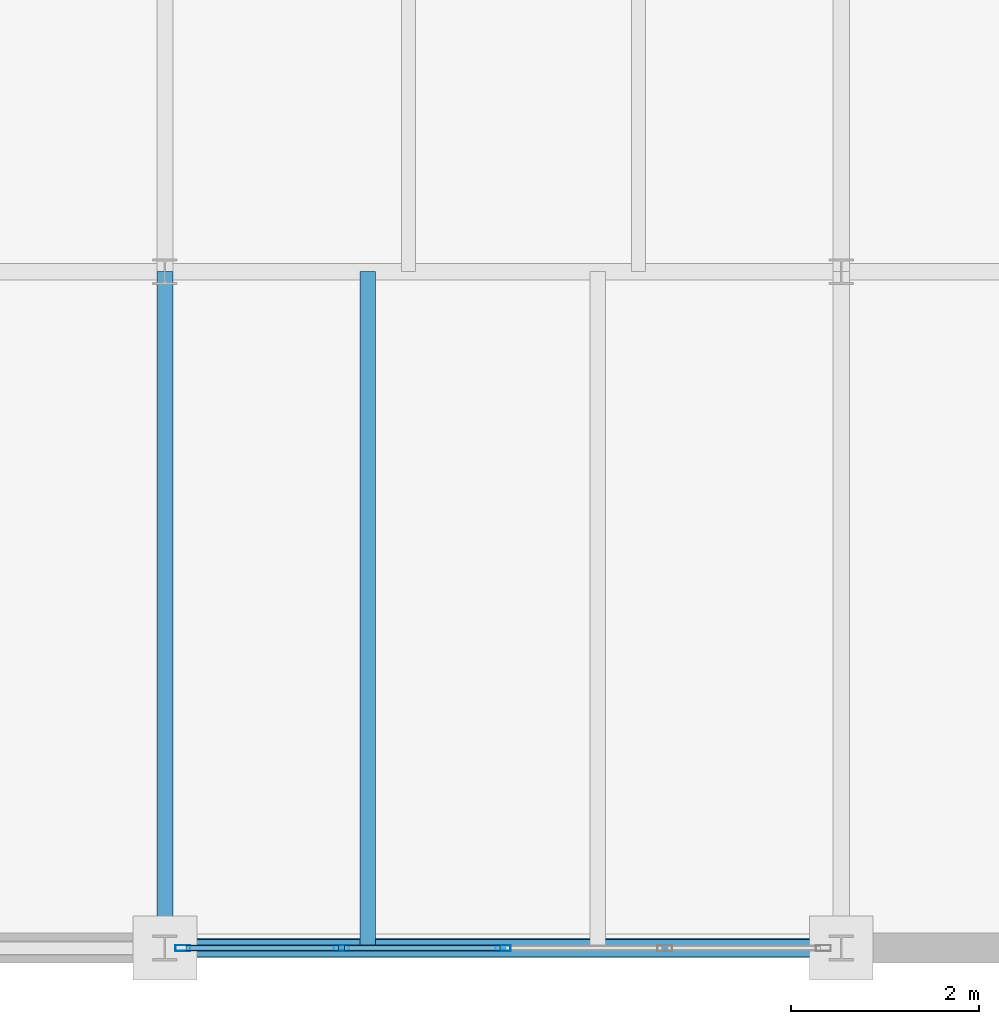
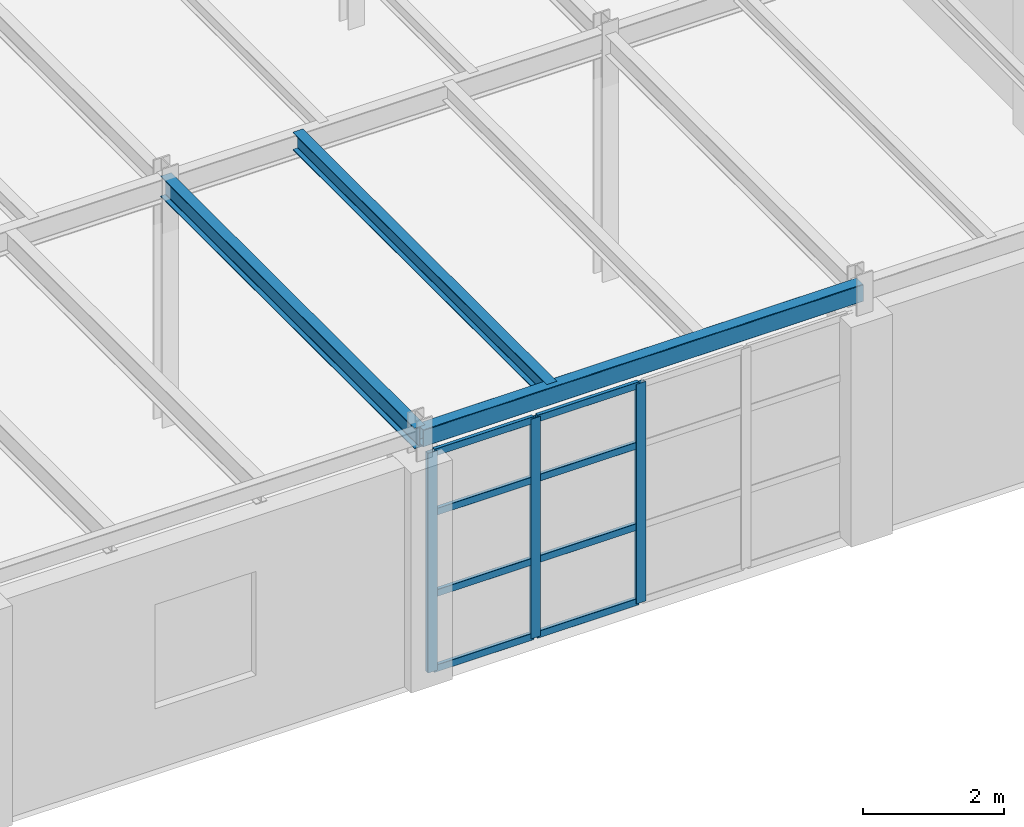
# One storey, part 23 of 101: 11 members, 3 beams, 1 element without a shape of its own.
"""IFC4 building model written with IfcOpenShell, lengths in metres."""

from ifc_helpers import new_model, si_unit, direction, frame, origin, origin_2d, place, context, subcontext, project, spatial, hollow_rectangle, i_section, extrude, material, layer, layer_set, material_profile, profile_set, type_object, element, aggregate, save


model = new_model("IFC4")

# Units and contexts
model_context = context("Model", 3, precision=1e-05, world=origin(), true_north=direction((0.0, 1.0)))
body_context = subcontext(model_context, "Body", "Model", "MODEL_VIEW")
ifc_project = project(units=[si_unit("LENGTHUNIT", "METRE"), si_unit("AREAUNIT", "SQUARE_METRE"), si_unit("VOLUMEUNIT", "CUBIC_METRE"), si_unit("PLANEANGLEUNIT", "RADIAN"), si_unit("MASSUNIT", "GRAM", prefix="KILO")], contexts=[model_context])

# Site, building, storey
site_placement = place(None, origin())
site = spatial("IfcSite", under=ifc_project, at=site_placement, CompositionType="ELEMENT")
building_placement = place(site_placement, origin())
building = spatial("IfcBuilding", under=site, at=building_placement, Name="Kemerveld Promenade Tramway Depot", CompositionType="ELEMENT")
storey_placement = place(building_placement, frame((0.0, 0.0, 9.89990234375)))
storey = spatial("IfcBuildingStorey", under=building, at=storey_placement, Name="L02", CompositionType="ELEMENT", Elevation=9.89990234375)

# Beams
ifc_material_1 = material(Name="Steel S355", Category="steel")
ifc_material_profile_1 = material_profile(ifc_material_1, i_section(OverallWidth=0.172119140625, OverallDepth=0.35791015625, WebThickness=0.008056640625, FlangeThickness=0.012939453125, FilletRadius=0.01025390625, at=origin_2d()), Name="356x171x57 UB")
ifc_profile_set_1 = profile_set([ifc_material_profile_1], Name="Steel S355")
beam_type_1 = type_object("IfcBeamType", Name="BM-G08", PredefinedType="BEAM", material=ifc_profile_set_1)
beam_1_placement = place(storey_placement, frame((36.0, 0.0, 4.106201171875), z_axis=(0.0, 1.0, 0.0), x_axis=(-1.0, 0.0, 0.0)))
element("IfcBeam", 1, at=beam_1_placement, inside=storey, type_object=beam_type_1, Name="BMY-L02-06-A-B", PredefinedType="BEAM", context=body_context, shape_type="SweptSolid", body=[
    extrude(i_section(OverallWidth=0.172119140625, OverallDepth=0.35791015625, WebThickness=0.008056640625, FlangeThickness=0.012939453125, FilletRadius=0.01025390625, at=origin_2d()), origin(), (0.0, 0.0, 1.0), 7.199951171875),
])
ifc_material_profile_2 = material_profile(ifc_material_1, hollow_rectangle(XDim=0.199951171875, YDim=0.300048828125, WallThickness=0.012451171875, InnerFilletRadius=0.00634765625, OuterFilletRadius=0.018798828125, at=origin_2d()), Name="300x200x12.5 RHS")
ifc_profile_set_2 = profile_set([ifc_material_profile_2], Name="Steel S355")
beam_type_2 = type_object("IfcBeamType", Name="BM-G18", PredefinedType="BEAM", material=ifc_profile_set_2)
beam_2_placement = place(storey_placement, frame((36.0, 0.0, 4.135009765625), z_axis=(1.0, 0.0, 0.0), x_axis=(0.0, 1.0, 0.0)))
element("IfcBeam", 2, at=beam_2_placement, inside=storey, type_object=beam_type_2, Name="BMX-L02-06-07-A", PredefinedType="BEAM", context=body_context, shape_type="SweptSolid", body=[
    extrude(hollow_rectangle(XDim=0.199951171875, YDim=0.300048828125, WallThickness=0.012451171875, InnerFilletRadius=0.00634765625, OuterFilletRadius=0.018798828125, at=origin_2d()), origin(), (0.0, 0.0, 1.0), 7.199951171875),
])
ifc_material_profile_3 = material_profile(ifc_material_1, i_section(OverallWidth=0.165771484375, OverallDepth=0.306640625, WebThickness=0.006591796875, FlangeThickness=0.01171875, FilletRadius=0.0087890625, at=origin_2d()), Name="305x165x46 UB")
ifc_profile_set_3 = profile_set([ifc_material_profile_3], Name="Steel S355")
beam_type_3 = type_object("IfcBeamType", Name="BM-J01", PredefinedType="JOIST", material=ifc_profile_set_3)
beam_3_placement = place(storey_placement, frame((38.159912109375, 0.0, 4.1318359375), z_axis=(0.0, 1.0, 0.0), x_axis=(-1.0, 0.0, 0.0)))
element("IfcBeam", 3, at=beam_3_placement, inside=storey, type_object=beam_type_3, Name="JST-L02-06-A-1", PredefinedType="JOIST", context=body_context, shape_type="SweptSolid", body=[
    extrude(i_section(OverallWidth=0.165771484375, OverallDepth=0.306640625, WebThickness=0.006591796875, FlangeThickness=0.01171875, FilletRadius=0.0087890625, at=origin_2d()), origin(), (0.0, 0.0, 1.0), 7.199951171875),
])

# Curtain wall, members
ifc_material_2 = material(Name="Bronze anodised aluminium and solar glass", Category="aluminium")
ifc_layer = layer(ifc_material_2, 0.159912109375)
ifc_layer_set = layer_set([ifc_layer], Name="CW-SYS-05")
curtain_wall_type = type_object("IfcCurtainWallType", Name="CW-SYS-05", PredefinedType="USERDEFINED", material=ifc_layer_set)
curtain_wall_placement = place(storey_placement, origin())
curtain_wall = element("IfcCurtainWall", 4, at=curtain_wall_placement, inside=storey, type_object=curtain_wall_type, Name="CW-L02-V5S-02", ObjectType="GLAZED_CURTAIN_WALL", PredefinedType="USERDEFINED")
ifc_material_3 = material(Name="Bronze anodised aluminium", Category="aluminium")
ifc_material_profile_4 = material_profile(ifc_material_3, hollow_rectangle(XDim=0.06494140625, YDim=0.159912109375, WallThickness=0.00390625, InnerFilletRadius=0.001953125, OuterFilletRadius=0.00390625, at=origin_2d()), Name="CW-MUL-160x65")
ifc_profile_set_4 = profile_set([ifc_material_profile_4], Name="Bronze anodised aluminium")
member_type_1 = type_object("IfcMemberType", Name="CW-MUL-A", PredefinedType="MULLION", material=ifc_profile_set_4)
member_1_placement = place(storey_placement, frame((39.60009765625, 0.0, 0.0), z_axis=(0.0, 0.0, 1.0), x_axis=(0.0, -1.0, 0.0)))
member_1 = element("IfcMember", 5, at=member_1_placement, type_object=member_type_1, Name="CW05 mullion 3", PredefinedType="MULLION", context=body_context, shape_type="SweptSolid", body=[
    extrude(hollow_rectangle(XDim=0.06494140625, YDim=0.159912109375, WallThickness=0.00390625, InnerFilletRadius=0.001953125, OuterFilletRadius=0.00390625, at=origin_2d()), origin(), (0.0, 0.0, 1.0), 3.800048828125),
])
member_2_placement = place(storey_placement, frame((37.879150390625, 0.0, 0.0), z_axis=(0.0, 0.0, 1.0), x_axis=(0.0, -1.0, 0.0)))
member_2 = element("IfcMember", 6, at=member_2_placement, type_object=member_type_1, Name="CW05 mullion 4", PredefinedType="MULLION", context=body_context, shape_type="SweptSolid", body=[
    extrude(hollow_rectangle(XDim=0.06494140625, YDim=0.159912109375, WallThickness=0.00390625, InnerFilletRadius=0.001953125, OuterFilletRadius=0.00390625, at=origin_2d()), origin(), (0.0, 0.0, 1.0), 3.800048828125),
])
member_3_placement = place(storey_placement, frame((36.190673828125, 0.0, 0.0), z_axis=(0.0, 0.0, 1.0), x_axis=(0.0, -1.0, 0.0)))
member_3 = element("IfcMember", 7, at=member_3_placement, type_object=member_type_1, Name="CW05 mullion 5", PredefinedType="MULLION", context=body_context, shape_type="SweptSolid", body=[
    extrude(hollow_rectangle(XDim=0.06494140625, YDim=0.159912109375, WallThickness=0.00390625, InnerFilletRadius=0.001953125, OuterFilletRadius=0.00390625, at=origin_2d()), origin(), (0.0, 0.0, 1.0), 3.800048828125),
])
ifc_material_profile_5 = material_profile(ifc_material_3, hollow_rectangle(XDim=0.06005859375, YDim=0.1201171875, WallThickness=0.00390625, InnerFilletRadius=0.001953125, OuterFilletRadius=0.00390625, at=origin_2d()), Name="CW-TRN-120x60")
ifc_profile_set_5 = profile_set([ifc_material_profile_5], Name="Bronze anodised aluminium")
member_type_2 = type_object("IfcMemberType", Name="CW-TRN-A", PredefinedType="USERDEFINED", material=ifc_profile_set_5)
member_4_placement = place(storey_placement, frame((39.5673828125, 0.0, 0.030029296875), z_axis=(-1.0, 0.0, 0.0), x_axis=(0.0, -1.0, 0.0)))
member_4 = element("IfcMember", 8, at=member_4_placement, type_object=member_type_2, Name="CW05 transom 3.1", ObjectType="TRANSOM", PredefinedType="USERDEFINED", context=body_context, shape_type="SweptSolid", body=[
    extrude(hollow_rectangle(XDim=0.06005859375, YDim=0.1201171875, WallThickness=0.00390625, InnerFilletRadius=0.001953125, OuterFilletRadius=0.00390625, at=origin_2d()), origin(), (0.0, 0.0, 1.0), 1.65576171875),
])
member_5_placement = place(storey_placement, frame((39.5673828125, 0.0, 1.330078125), z_axis=(-1.0, 0.0, 0.0), x_axis=(0.0, -1.0, 0.0)))
member_5 = element("IfcMember", 9, at=member_5_placement, type_object=member_type_2, Name="CW05 transom 3.2", ObjectType="TRANSOM", PredefinedType="USERDEFINED", context=body_context, shape_type="SweptSolid", body=[
    extrude(hollow_rectangle(XDim=0.06005859375, YDim=0.1201171875, WallThickness=0.00390625, InnerFilletRadius=0.001953125, OuterFilletRadius=0.00390625, at=origin_2d()), origin(), (0.0, 0.0, 1.0), 1.65576171875),
])
member_6_placement = place(storey_placement, frame((39.5673828125, 0.0, 2.736083984375), z_axis=(-1.0, 0.0, 0.0), x_axis=(0.0, -1.0, 0.0)))
member_6 = element("IfcMember", 10, at=member_6_placement, type_object=member_type_2, Name="CW05 transom 3.3", ObjectType="TRANSOM", PredefinedType="USERDEFINED", context=body_context, shape_type="SweptSolid", body=[
    extrude(hollow_rectangle(XDim=0.06005859375, YDim=0.1201171875, WallThickness=0.00390625, InnerFilletRadius=0.001953125, OuterFilletRadius=0.00390625, at=origin_2d()), origin(), (0.0, 0.0, 1.0), 1.65576171875),
])
member_7_placement = place(storey_placement, frame((39.5673828125, 0.0, 3.77001953125), z_axis=(-1.0, 0.0, 0.0), x_axis=(0.0, -1.0, 0.0)))
member_7 = element("IfcMember", 11, at=member_7_placement, type_object=member_type_2, Name="CW05 transom 3.4", ObjectType="TRANSOM", PredefinedType="USERDEFINED", context=body_context, shape_type="SweptSolid", body=[
    extrude(hollow_rectangle(XDim=0.06005859375, YDim=0.1201171875, WallThickness=0.00390625, InnerFilletRadius=0.001953125, OuterFilletRadius=0.00390625, at=origin_2d()), origin(), (0.0, 0.0, 1.0), 1.65576171875),
])
member_8_placement = place(storey_placement, frame((37.846435546875, 0.0, 0.030029296875), z_axis=(-1.0, 0.0, 0.0), x_axis=(0.0, -1.0, 0.0)))
member_8 = element("IfcMember", 12, at=member_8_placement, type_object=member_type_2, Name="CW05 transom 4.1", ObjectType="TRANSOM", PredefinedType="USERDEFINED", context=body_context, shape_type="SweptSolid", body=[
    extrude(hollow_rectangle(XDim=0.06005859375, YDim=0.1201171875, WallThickness=0.00390625, InnerFilletRadius=0.001953125, OuterFilletRadius=0.00390625, at=origin_2d()), origin(), (0.0, 0.0, 1.0), 1.623291015625),
])
member_9_placement = place(storey_placement, frame((37.846435546875, 0.0, 1.330078125), z_axis=(-1.0, 0.0, 0.0), x_axis=(0.0, -1.0, 0.0)))
member_9 = element("IfcMember", 13, at=member_9_placement, type_object=member_type_2, Name="CW05 transom 4.2", ObjectType="TRANSOM", PredefinedType="USERDEFINED", context=body_context, shape_type="SweptSolid", body=[
    extrude(hollow_rectangle(XDim=0.06005859375, YDim=0.1201171875, WallThickness=0.00390625, InnerFilletRadius=0.001953125, OuterFilletRadius=0.00390625, at=origin_2d()), origin(), (0.0, 0.0, 1.0), 1.623291015625),
])
member_10_placement = place(storey_placement, frame((37.846435546875, 0.0, 2.736083984375), z_axis=(-1.0, 0.0, 0.0), x_axis=(0.0, -1.0, 0.0)))
member_10 = element("IfcMember", 14, at=member_10_placement, type_object=member_type_2, Name="CW05 transom 4.3", ObjectType="TRANSOM", PredefinedType="USERDEFINED", context=body_context, shape_type="SweptSolid", body=[
    extrude(hollow_rectangle(XDim=0.06005859375, YDim=0.1201171875, WallThickness=0.00390625, InnerFilletRadius=0.001953125, OuterFilletRadius=0.00390625, at=origin_2d()), origin(), (0.0, 0.0, 1.0), 1.623291015625),
])
member_11_placement = place(storey_placement, frame((37.846435546875, 0.0, 3.77001953125), z_axis=(-1.0, 0.0, 0.0), x_axis=(0.0, -1.0, 0.0)))
member_11 = element("IfcMember", 15, at=member_11_placement, type_object=member_type_2, Name="CW05 transom 4.4", ObjectType="TRANSOM", PredefinedType="USERDEFINED", context=body_context, shape_type="SweptSolid", body=[
    extrude(hollow_rectangle(XDim=0.06005859375, YDim=0.1201171875, WallThickness=0.00390625, InnerFilletRadius=0.001953125, OuterFilletRadius=0.00390625, at=origin_2d()), origin(), (0.0, 0.0, 1.0), 1.623291015625),
])
aggregate(curtain_wall, [member_1, member_2, member_3, member_4, member_5, member_6, member_7, member_8, member_9, member_10, member_11])

save(model, "model.ifc")
